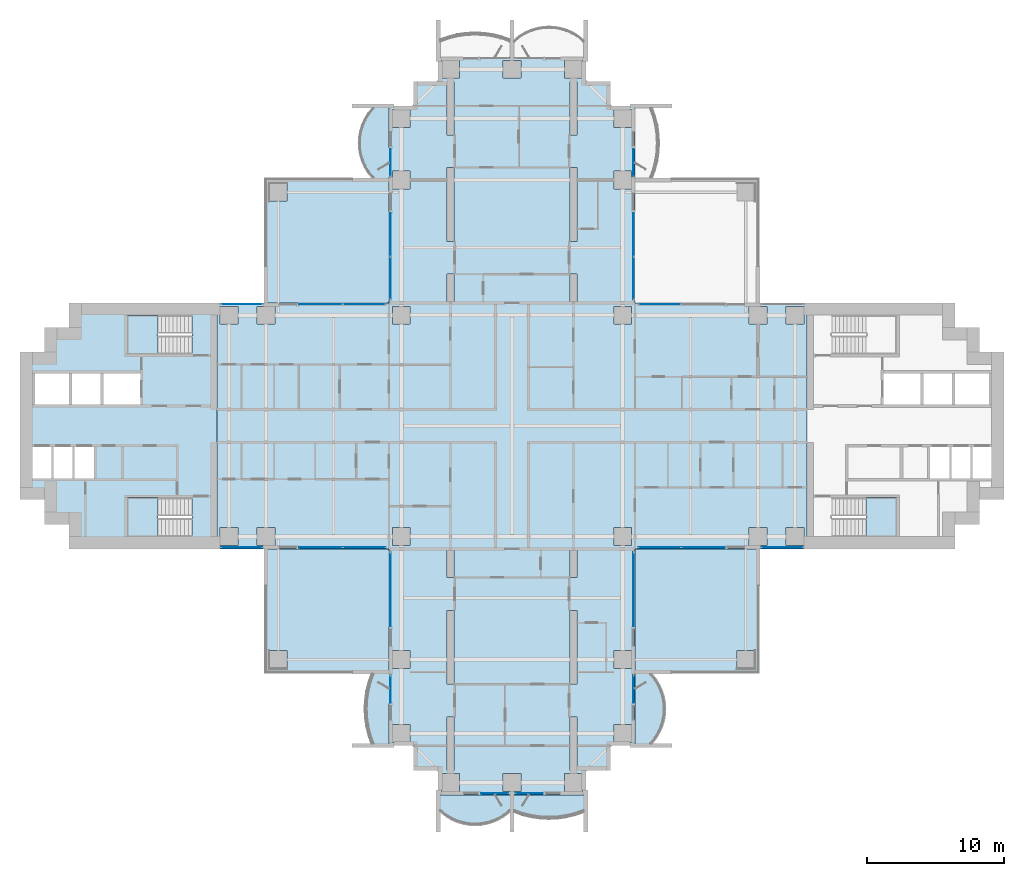
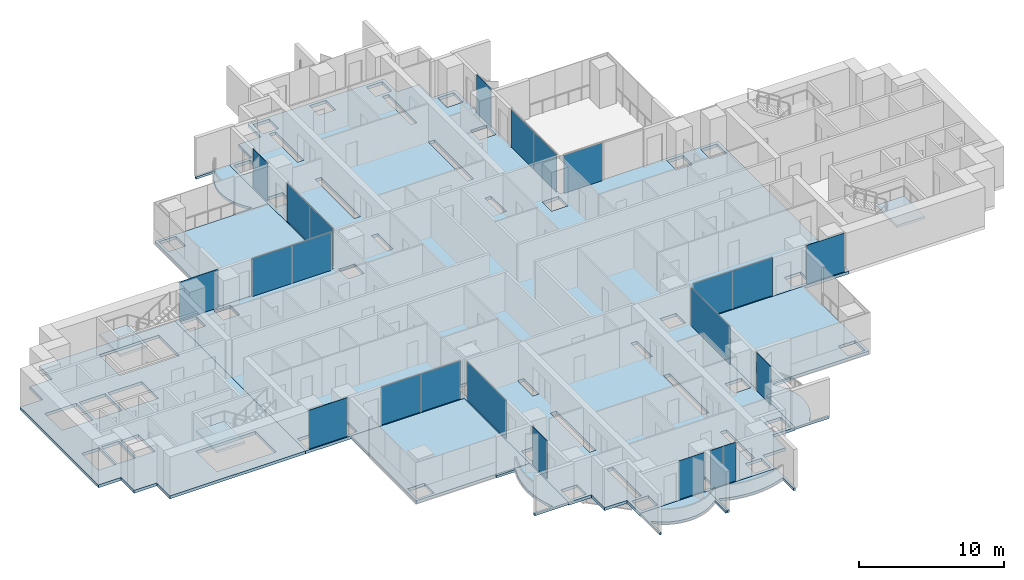
# One storey, part 8 of 20: 22 plates, 13 slabs, 20 elements without a shape of their own.
"""IFC4 building model written with IfcOpenShell, lengths in metres."""

import ifcopenshell
import ifcopenshell.guid

model = None  # the IFC model being written
_history = None  # IfcOwnerHistory: only IFC2X3 demands one
_inside = {}  # id of a spatial element -> (the spatial element, [elements in it])
_under = {}  # id of a project, library or spatial element -> (it, [spatial elements below it])
_declared = {}  # id of a project -> (the project, [libraries it declares])
_typed = {}  # id of a type object -> (the type object, [elements of that type])
_made_of = {}  # id of a material, layer set ... -> (it, [elements and type objects made of it])


def new_model(schema):
    """Start an empty IFC model of exactly this schema.

    Asked for "IFC4X3", IfcOpenShell would pick the latest addendum, in which some entities
    have other attributes; the version numbers below select the first issue.
    IFC2X3 requires an IfcOwnerHistory on every rooted entity: one is made here for all.
    """
    global model, _history
    if schema == "IFC4X3":
        model = ifcopenshell.file(schema_version=(4, 3, 0, 0))
    else:
        model = ifcopenshell.file(schema=schema)
    _inside.clear()
    _under.clear()
    _declared.clear()
    _typed.clear()
    _made_of.clear()
    _history = None
    if model.schema == "IFC2X3":
        org = make("IfcOrganization", Name="unknown")
        user = make(
            "IfcPersonAndOrganization",
            ThePerson=make("IfcPerson", FamilyName="unknown"),
            TheOrganization=org,
        )
        app = make(
            "IfcApplication",
            ApplicationDeveloper=org,
            Version="unknown",
            ApplicationFullName="unknown",
            ApplicationIdentifier="unknown",
        )
        _history = make(
            "IfcOwnerHistory",
            OwningUser=user,
            OwningApplication=app,
            ChangeAction="ADDED",
            CreationDate=0,
        )
    return model


def make(cls, **values):
    """One entity of the class cls with the attributes given. An attribute that is None is left unset."""
    return model.create_entity(
        cls, **{name: value for name, value in values.items() if value is not None}
    )


def rooted(cls, **values):
    """An entity with a GlobalId (a new one), such as an element, a storey or a relation."""
    return make(cls, GlobalId=ifcopenshell.guid.new(), OwnerHistory=_history, **values)


def si_unit(unit_type, name, prefix=None):
    """IfcSIUnit, for example si_unit("LENGTHUNIT", "METRE", prefix="MILLI")."""
    return make("IfcSIUnit", UnitType=unit_type, Prefix=prefix, Name=name)


def assignment(units):
    """IfcUnitAssignment: the units of a project."""
    return None if units is None else make("IfcUnitAssignment", Units=units)


def point(xyz):
    """IfcCartesianPoint."""
    return None if xyz is None else make("IfcCartesianPoint", Coordinates=xyz)


def direction(xyz):
    """IfcDirection."""
    return None if xyz is None else make("IfcDirection", DirectionRatios=xyz)


def frame(location, z_axis=None, x_axis=None):
    """IfcAxis2Placement3D, a coordinate frame: its origin and axes. An axis left out is left unset."""
    return make(
        "IfcAxis2Placement3D",
        Location=point(location),
        Axis=direction(z_axis),
        RefDirection=direction(x_axis),
    )


def frame_2d(location, x_axis=None):
    """IfcAxis2Placement2D, a coordinate frame in the plane: its origin and x axis."""
    return make(
        "IfcAxis2Placement2D", Location=point(location), RefDirection=direction(x_axis)
    )


def origin():
    """The frame at (0, 0, 0) with its axes left unset."""
    return frame((0.0, 0.0, 0.0))


def origin_2d():
    """The frame at (0, 0) in the plane with its x axis left unset."""
    return frame_2d((0.0, 0.0))


def place(relative_to, where):
    """IfcLocalPlacement: puts the frame where relative to a parent placement (None: the world)."""
    return make(
        "IfcLocalPlacement", PlacementRelTo=relative_to, RelativePlacement=where
    )


def context(
    kind, dimensions, precision=None, world=None, true_north=None, identifier=None
):
    """IfcGeometricRepresentationContext, for example the 3D "Model" context."""
    return make(
        "IfcGeometricRepresentationContext",
        ContextIdentifier=identifier,
        ContextType=kind,
        CoordinateSpaceDimension=dimensions,
        Precision=precision,
        WorldCoordinateSystem=world,
        TrueNorth=true_north,
    )


def subcontext(parent, identifier, kind, view, scale=None):
    """IfcGeometricRepresentationSubContext, for example "Body" below "Model"."""
    return make(
        "IfcGeometricRepresentationSubContext",
        ContextIdentifier=identifier,
        ContextType=kind,
        ParentContext=parent,
        TargetScale=scale,
        TargetView=view,
    )


def project(units=None, contexts=None):
    """IfcProject with its units and contexts."""
    return rooted(
        "IfcProject",
        Name="project",
        RepresentationContexts=contexts,
        UnitsInContext=assignment(units),
    )


def spatial(cls, under=None, at=None, **own):
    """A site, building, storey or space (cls), placed at a placement, below another one or the project."""
    s = rooted(cls, ObjectPlacement=at, **own)
    if under is not None:
        _under.setdefault(under.id(), (under, []))[1].append(s)
    return s


def polyline(points):
    """IfcPolyline through the points."""
    return make("IfcPolyline", Points=[point(p) for p in points])


def profile(cls, at=None, kind="AREA", **sizes):
    """A parametric profile (cls). Its sizes go by their IFC names, for example OverallWidth=200.0."""
    return make(cls, ProfileType=kind, Position=at, **sizes)


def rectangle(**sizes):
    """IfcRectangleProfileDef."""
    return profile("IfcRectangleProfileDef", **sizes)


def outline(outer, holes=None, kind="AREA"):
    """IfcArbitraryClosedProfileDef: a profile drawn as a closed curve; with holes, ...WithVoids."""
    if holes is None:
        return make("IfcArbitraryClosedProfileDef", ProfileType=kind, OuterCurve=outer)
    return make(
        "IfcArbitraryProfileDefWithVoids",
        ProfileType=kind,
        OuterCurve=outer,
        InnerCurves=holes,
    )


def extrude(swept, where, along, depth):
    """IfcExtrudedAreaSolid: the profile swept, set in the frame where, extruded along a direction by depth."""
    return make(
        "IfcExtrudedAreaSolid",
        SweptArea=swept,
        Position=where,
        ExtrudedDirection=direction(along),
        Depth=depth,
    )


def shape(context_of_items, identifier, shape_type, items):
    """IfcShapeRepresentation: the items that make up one representation, for example the "Body"."""
    return make(
        "IfcShapeRepresentation",
        ContextOfItems=context_of_items,
        RepresentationIdentifier=identifier,
        RepresentationType=shape_type,
        Items=items,
    )


def material(Name=None, Category=None):
    """IfcMaterial."""
    return make("IfcMaterial", Name=Name, Category=Category)


def layer(
    of_material, thickness, ventilated=None, Name=None, Category=None, Priority=None
):
    """IfcMaterialLayer: one layer of a wall or slab, of a material (None: an air gap)."""
    return make(
        "IfcMaterialLayer",
        Material=of_material,
        LayerThickness=thickness,
        IsVentilated=ventilated,
        Name=Name,
        Category=Category,
        Priority=Priority,
    )


def layer_set(layers, Name=None):
    """IfcMaterialLayerSet."""
    return make("IfcMaterialLayerSet", MaterialLayers=layers, LayerSetName=Name)


def made_of(thing, what):
    """Note that an element or type object is made of a material, layer set ...; save() writes the relation."""
    if what is not None:
        _made_of.setdefault(what.id(), (what, []))[1].append(thing)
    return thing


def type_object(cls, material=None, **own):
    """A type object (cls), such as IfcWallType, which elements share."""
    return made_of(rooted(cls, **own), material)


def element(
    cls,
    number,
    at=None,
    inside=None,
    cuts=None,
    type_object=None,
    material=None,
    context=None,
    identifier="Body",
    shape_type=None,
    held_by="IfcProductDefinitionShape",
    body=None,
    shapes=None,
    **own,
):
    """One element of the class cls, such as IfcWall. Its Tag is "e" and its number.

    at: its placement. inside: the storey or other place that contains it. cuts: it is an
    opening in that element (IfcRelVoidsElement). A single representation is given by context,
    identifier, shape_type and body (its items); several are given by shapes. held_by: the class
    of the entity that holds the representations. save() writes the other relations.
    """
    e = rooted(cls, Tag="e%d" % number, ObjectPlacement=at, **own)
    if body is not None:
        shapes = [shape(context, identifier, shape_type, body)]
    if shapes is not None:
        e.Representation = make(held_by, Representations=shapes)
    if inside is not None:
        _inside.setdefault(inside.id(), (inside, []))[1].append(e)
    if cuts is not None:
        rooted(
            "IfcRelVoidsElement", RelatingBuildingElement=cuts, RelatedOpeningElement=e
        )
    if type_object is not None:
        _typed.setdefault(type_object.id(), (type_object, []))[1].append(e)
    return made_of(e, material)


def aggregate(whole, parts):
    """IfcRelAggregates: a whole, such as a stair, and the parts it consists of."""
    return rooted("IfcRelAggregates", RelatingObject=whole, RelatedObjects=parts)


def save(model, path):
    """Write the relations noted so far, then the file.

    IfcRelAggregates (storeys below a building ...), IfcRelContainedInSpatialStructure (elements
    in a storey), IfcRelDefinesByType, IfcRelAssociatesMaterial and IfcRelDeclares: one each for
    every whole, place, type object, material and project.
    """
    for whole, parts in _under.values():
        aggregate(whole, parts)
    for where, things in _inside.values():
        rooted(
            "IfcRelContainedInSpatialStructure",
            RelatedElements=things,
            RelatingStructure=where,
        )
    for kind, things in _typed.values():
        rooted("IfcRelDefinesByType", RelatedObjects=things, RelatingType=kind)
    for what, things in _made_of.values():
        rooted("IfcRelAssociatesMaterial", RelatedObjects=things, RelatingMaterial=what)
    for by, libraries in _declared.values():
        rooted("IfcRelDeclares", RelatingContext=by, RelatedDefinitions=libraries)
    model.write(path)


model = new_model("IFC4")

# Units and contexts
model_context = context("Model", 3, precision=1e-05, world=origin(), true_north=direction((0.0, 1.0)))
body_context = subcontext(model_context, "Body", "Model", "MODEL_VIEW")
ifc_project = project(units=[si_unit("LENGTHUNIT", "METRE"), si_unit("AREAUNIT", "SQUARE_METRE"), si_unit("VOLUMEUNIT", "CUBIC_METRE"), si_unit("PLANEANGLEUNIT", "RADIAN"), si_unit("MASSUNIT", "GRAM", prefix="KILO")], contexts=[model_context])

# Site, building, storey
site_placement = place(None, origin())
site = spatial("IfcSite", under=ifc_project, at=site_placement, CompositionType="ELEMENT")
building_placement = place(site_placement, origin())
building = spatial("IfcBuilding", under=site, at=building_placement, Name="Perihelion Cross Residences", CompositionType="ELEMENT")
storey_placement = place(building_placement, frame((0.0, 0.0, 68.0)))
storey = spatial("IfcBuildingStorey", under=building, at=storey_placement, Name="L14", CompositionType="ELEMENT", Elevation=68.0)

# Slabs
ifc_material_1 = material(Name="Concrete C40/50", Category="concrete")
ifc_layer_1 = layer(ifc_material_1, 0.199951171875)
ifc_layer_set_1 = layer_set([ifc_layer_1], Name="Balcony slab 200")
slab_type_1 = type_object("IfcSlabType", Name="Balcony slab 200", PredefinedType="FLOOR", material=ifc_layer_set_1)
slab_1_placement = place(storey_placement, frame((0.0, 0.0, -0.199951171875)))
element("IfcSlab", 1, at=slab_1_placement, inside=storey, type_object=slab_type_1, Name="Slab BK1 L14 north side west bay 1 balcony", PredefinedType="FLOOR", context=body_context, shape_type="SweptSolid", body=[
    extrude(outline(polyline([(-9.0, 23.39990234375), (-9.0, 18.0), (-11.699951171875, 18.0), (-11.699951171875, 18.14990234375), (-10.199951171875, 18.14990234375), (-10.5400390625, 18.574951171875), (-10.792724609375, 19.0), (-10.9765625, 19.425048828125), (-11.1025390625, 19.85009765625), (-11.17578125, 20.27490234375), (-11.199951171875, 20.699951171875), (-11.17578125, 21.125), (-11.1025390625, 21.550048828125), (-10.9765625, 21.97509765625), (-10.792724609375, 22.39990234375), (-10.5400390625, 22.824951171875), (-10.199951171875, 23.25), (-11.699951171875, 23.25), (-11.699951171875, 23.39990234375), (-9.0, 23.39990234375)])), origin(), (0.0, 0.0, 1.0), 0.199951171875),
])
slab_2_placement = place(storey_placement, frame((0.0, 0.0, -0.199951171875)))
element("IfcSlab", 2, at=slab_2_placement, inside=storey, type_object=slab_type_1, Name="Slab BK1 L14 south side west bay 2 balcony", PredefinedType="FLOOR", context=body_context, shape_type="SweptSolid", body=[
    extrude(outline(polyline([(-9.0, -18.0), (-9.0, -23.39990234375), (-11.699951171875, -23.39990234375), (-11.699951171875, -23.25), (-10.199951171875, -23.25), (-10.423583984375, -22.612548828125), (-10.57861328125, -21.97509765625), (-10.669921875, -21.33740234375), (-10.699951171875, -20.699951171875), (-10.669921875, -20.0625), (-10.57861328125, -19.425048828125), (-10.423583984375, -18.78759765625), (-10.199951171875, -18.14990234375), (-11.699951171875, -18.14990234375), (-11.699951171875, -18.0), (-9.0, -18.0)])), origin(), (0.0, 0.0, 1.0), 0.199951171875),
])
slab_3_placement = place(storey_placement, frame((0.0, 0.0, -0.199951171875)))
element("IfcSlab", 3, at=slab_3_placement, inside=storey, type_object=slab_type_1, Name="Slab BK1 L14 south tip south bay 1 balcony", PredefinedType="FLOOR", context=body_context, shape_type="SweptSolid", body=[
    extrude(outline(polyline([(-5.39990234375, -27.0), (0.0, -27.0), (0.0, -29.699951171875), (-0.14990234375, -29.699951171875), (-0.14990234375, -28.199951171875), (-0.574951171875, -28.5400390625), (-1.0, -28.792724609375), (-1.425048828125, -28.9765625), (-1.85009765625, -29.1025390625), (-2.27490234375, -29.17578125), (-2.699951171875, -29.199951171875), (-3.125, -29.17578125), (-3.550048828125, -29.1025390625), (-3.97509765625, -28.9765625), (-4.39990234375, -28.792724609375), (-4.824951171875, -28.5400390625), (-5.25, -28.199951171875), (-5.25, -29.699951171875), (-5.39990234375, -29.699951171875), (-5.39990234375, -27.0)])), origin(), (0.0, 0.0, 1.0), 0.199951171875),
])
slab_4_placement = place(storey_placement, frame((0.0, 0.0, -0.199951171875)))
element("IfcSlab", 4, at=slab_4_placement, inside=storey, type_object=slab_type_1, Name="Slab BK1 L14 south tip south bay 2 balcony", PredefinedType="FLOOR", context=body_context, shape_type="SweptSolid", body=[
    extrude(outline(polyline([(0.0, -27.0), (5.39990234375, -27.0), (5.39990234375, -29.699951171875), (5.25, -29.699951171875), (5.25, -28.199951171875), (4.612548828125, -28.423583984375), (3.97509765625, -28.57861328125), (3.33740234375, -28.669921875), (2.699951171875, -28.699951171875), (2.0625, -28.669921875), (1.425048828125, -28.57861328125), (0.78759765625, -28.423583984375), (0.14990234375, -28.199951171875), (0.14990234375, -29.699951171875), (0.0, -29.699951171875), (0.0, -27.0)])), origin(), (0.0, 0.0, 1.0), 0.199951171875),
])
slab_5_placement = place(storey_placement, frame((0.0, 0.0, -0.199951171875)))
element("IfcSlab", 5, at=slab_5_placement, inside=storey, type_object=slab_type_1, Name="Slab BK1 L14 south side east bay 1 balcony", PredefinedType="FLOOR", context=body_context, shape_type="SweptSolid", body=[
    extrude(outline(polyline([(9.0, -23.39990234375), (9.0, -18.0), (11.699951171875, -18.0), (11.699951171875, -18.14990234375), (10.199951171875, -18.14990234375), (10.5400390625, -18.574951171875), (10.792724609375, -19.0), (10.9765625, -19.425048828125), (11.1025390625, -19.85009765625), (11.17578125, -20.27490234375), (11.199951171875, -20.699951171875), (11.17578125, -21.125), (11.1025390625, -21.550048828125), (10.9765625, -21.97509765625), (10.792724609375, -22.39990234375), (10.5400390625, -22.824951171875), (10.199951171875, -23.25), (11.699951171875, -23.25), (11.699951171875, -23.39990234375), (9.0, -23.39990234375)])), origin(), (0.0, 0.0, 1.0), 0.199951171875),
])

# Curtain wall, plate
ifc_material_2 = material(Name="Bronze anodised aluminium, tinted glazing", Category="aluminium")
curtain_wall_type = type_object("IfcCurtainWallType", Name="CW1", PredefinedType="NOTDEFINED", material=ifc_material_2)
curtain_wall_1_placement = place(storey_placement, origin())
curtain_wall_1 = element("IfcCurtainWall", 6, at=curtain_wall_1_placement, inside=storey, type_object=curtain_wall_type, Name="Curtain wall CW1 L14 east side north bay 2", PredefinedType="NOTDEFINED")
ifc_material_3 = material(Name="Tinted laminated glass", Category="glass")
ifc_layer_2 = layer(ifc_material_3, 0.028076171875)
ifc_layer_set_2 = layer_set([ifc_layer_2], Name="CW1 panel")
plate_type = type_object("IfcPlateType", Name="CW1 panel", PredefinedType="CURTAIN_PANEL", material=ifc_layer_set_2)
plate_1_placement = place(storey_placement, frame((10.802490234375, 8.89990234375, 0.0), z_axis=(0.0, 0.0, 1.0), x_axis=(-1.0, 0.0, 0.0)))
plate_1 = element("IfcPlate", 7, at=plate_1_placement, type_object=plate_type, Name="CW1 panel 2", PredefinedType="CURTAIN_PANEL", context=body_context, shape_type="SweptSolid", body=[
    extrude(rectangle(XDim=3.0849609375, YDim=0.028076171875, at=origin_2d()), origin(), (0.0, 0.0, 1.0), 3.18994140625),
])
aggregate(curtain_wall_1, [plate_1])

# Curtain wall, plates
curtain_wall_2_placement = place(storey_placement, origin())
curtain_wall_2 = element("IfcCurtainWall", 8, at=curtain_wall_2_placement, inside=storey, type_object=curtain_wall_type, Name="Curtain wall CW1 L14 north side east bay 1", PredefinedType="NOTDEFINED")
plate_2_placement = place(storey_placement, frame((8.89990234375, 10.802490234375, 0.0), z_axis=(0.0, 0.0, 1.0), x_axis=(0.0, 1.0, 0.0)))
plate_2 = element("IfcPlate", 9, at=plate_2_placement, type_object=plate_type, Name="CW1 panel 1", PredefinedType="CURTAIN_PANEL", context=body_context, shape_type="SweptSolid", body=[
    extrude(rectangle(XDim=3.0849609375, YDim=0.028076171875, at=origin_2d()), origin(), (0.0, 0.0, 1.0), 3.18994140625),
])
plate_3_placement = place(storey_placement, frame((8.89990234375, 13.9775390625, 0.0), z_axis=(0.0, 0.0, 1.0), x_axis=(0.0, 1.0, 0.0)))
plate_3 = element("IfcPlate", 10, at=plate_3_placement, type_object=plate_type, Name="CW1 panel 2", PredefinedType="CURTAIN_PANEL", context=body_context, shape_type="SweptSolid", body=[
    extrude(rectangle(XDim=3.14501953125, YDim=0.028076171875, at=origin_2d()), origin(), (0.0, 0.0, 1.0), 3.18994140625),
])
aggregate(curtain_wall_2, [plate_2, plate_3])

# Curtain wall, plate
curtain_wall_3_placement = place(storey_placement, origin())
curtain_wall_3 = element("IfcCurtainWall", 11, at=curtain_wall_3_placement, inside=storey, type_object=curtain_wall_type, Name="Curtain wall CW1 L14 north side east bay 2", PredefinedType="NOTDEFINED")
plate_4_placement = place(storey_placement, frame((8.89990234375, 19.2548828125, 0.0), z_axis=(0.0, 0.0, 1.0), x_axis=(0.0, 1.0, 0.0)))
plate_4 = element("IfcPlate", 12, at=plate_4_placement, type_object=plate_type, Name="CW1 panel 1", PredefinedType="CURTAIN_PANEL", context=body_context, shape_type="SweptSolid", body=[
    extrude(rectangle(XDim=1.989990234375, YDim=0.028076171875, at=origin_2d()), origin(), (0.0, 0.0, 1.0), 3.25),
])
aggregate(curtain_wall_3, [plate_4])

curtain_wall_4_placement = place(storey_placement, origin())
curtain_wall_4 = element("IfcCurtainWall", 13, at=curtain_wall_4_placement, inside=storey, type_object=curtain_wall_type, Name="Curtain wall CW1 L14 north side west bay 1", PredefinedType="NOTDEFINED")
plate_5_placement = place(storey_placement, frame((-8.89990234375, 19.2548828125, 0.0), z_axis=(0.0, 0.0, 1.0), x_axis=(0.0, -1.0, 0.0)))
plate_5 = element("IfcPlate", 14, at=plate_5_placement, type_object=plate_type, Name="CW1 panel 1", PredefinedType="CURTAIN_PANEL", context=body_context, shape_type="SweptSolid", body=[
    extrude(rectangle(XDim=1.989990234375, YDim=0.028076171875, at=origin_2d()), origin(), (0.0, 0.0, 1.0), 3.25),
])
aggregate(curtain_wall_4, [plate_5])

# Curtain wall, plates
curtain_wall_5_placement = place(storey_placement, origin())
curtain_wall_5 = element("IfcCurtainWall", 15, at=curtain_wall_5_placement, inside=storey, type_object=curtain_wall_type, Name="Curtain wall CW1 L14 north side west bay 2", PredefinedType="NOTDEFINED")
plate_6_placement = place(storey_placement, frame((-8.89990234375, 13.9775390625, 0.0), z_axis=(0.0, 0.0, 1.0), x_axis=(0.0, -1.0, 0.0)))
plate_6 = element("IfcPlate", 16, at=plate_6_placement, type_object=plate_type, Name="CW1 panel 1", PredefinedType="CURTAIN_PANEL", context=body_context, shape_type="SweptSolid", body=[
    extrude(rectangle(XDim=3.14501953125, YDim=0.028076171875, at=origin_2d()), origin(), (0.0, 0.0, 1.0), 3.18994140625),
])
plate_7_placement = place(storey_placement, frame((-8.89990234375, 10.802490234375, 0.0), z_axis=(0.0, 0.0, 1.0), x_axis=(0.0, -1.0, 0.0)))
plate_7 = element("IfcPlate", 17, at=plate_7_placement, type_object=plate_type, Name="CW1 panel 2", PredefinedType="CURTAIN_PANEL", context=body_context, shape_type="SweptSolid", body=[
    extrude(rectangle(XDim=3.0849609375, YDim=0.028076171875, at=origin_2d()), origin(), (0.0, 0.0, 1.0), 3.18994140625),
])
aggregate(curtain_wall_5, [plate_6, plate_7])

curtain_wall_6_placement = place(storey_placement, origin())
curtain_wall_6 = element("IfcCurtainWall", 18, at=curtain_wall_6_placement, inside=storey, type_object=curtain_wall_type, Name="Curtain wall CW1 L14 west side north bay 1", PredefinedType="NOTDEFINED")
plate_8_placement = place(storey_placement, frame((-10.802490234375, 8.89990234375, 0.0), z_axis=(0.0, 0.0, 1.0), x_axis=(-1.0, 0.0, 0.0)))
plate_8 = element("IfcPlate", 19, at=plate_8_placement, type_object=plate_type, Name="CW1 panel 1", PredefinedType="CURTAIN_PANEL", context=body_context, shape_type="SweptSolid", body=[
    extrude(rectangle(XDim=3.0849609375, YDim=0.028076171875, at=origin_2d()), origin(), (0.0, 0.0, 1.0), 3.18994140625),
])
plate_9_placement = place(storey_placement, frame((-13.9775390625, 8.89990234375, 0.0), z_axis=(0.0, 0.0, 1.0), x_axis=(-1.0, 0.0, 0.0)))
plate_9 = element("IfcPlate", 20, at=plate_9_placement, type_object=plate_type, Name="CW1 panel 2", PredefinedType="CURTAIN_PANEL", context=body_context, shape_type="SweptSolid", body=[
    extrude(rectangle(XDim=3.14501953125, YDim=0.028076171875, at=origin_2d()), origin(), (0.0, 0.0, 1.0), 3.18994140625),
])
aggregate(curtain_wall_6, [plate_8, plate_9])

# Curtain wall, plate
curtain_wall_7_placement = place(storey_placement, origin())
curtain_wall_7 = element("IfcCurtainWall", 21, at=curtain_wall_7_placement, inside=storey, type_object=curtain_wall_type, Name="Curtain wall CW1 L14 west side north bay 2", PredefinedType="NOTDEFINED")
plate_10_placement = place(storey_placement, frame((-19.77490234375, 8.89990234375, 0.0), z_axis=(0.0, 0.0, 1.0), x_axis=(-1.0, 0.0, 0.0)))
plate_10 = element("IfcPlate", 22, at=plate_10_placement, type_object=plate_type, Name="CW1 panel 1", PredefinedType="CURTAIN_PANEL", context=body_context, shape_type="SweptSolid", body=[
    extrude(rectangle(XDim=3.030029296875, YDim=0.028076171875, at=origin_2d()), origin(), (0.0, 0.0, 1.0), 3.25),
])
aggregate(curtain_wall_7, [plate_10])

curtain_wall_8_placement = place(storey_placement, origin())
curtain_wall_8 = element("IfcCurtainWall", 23, at=curtain_wall_8_placement, inside=storey, type_object=curtain_wall_type, Name="Curtain wall CW1 L14 west side south bay 1", PredefinedType="NOTDEFINED")
plate_11_placement = place(storey_placement, frame((-19.77490234375, -8.89990234375, 0.0), z_axis=(0.0, 0.0, 1.0), x_axis=(1.0, 0.0, 0.0)))
plate_11 = element("IfcPlate", 24, at=plate_11_placement, type_object=plate_type, Name="CW1 panel 1", PredefinedType="CURTAIN_PANEL", context=body_context, shape_type="SweptSolid", body=[
    extrude(rectangle(XDim=3.030029296875, YDim=0.028076171875, at=origin_2d()), origin(), (0.0, 0.0, 1.0), 3.25),
])
aggregate(curtain_wall_8, [plate_11])

# Curtain wall, plates
curtain_wall_9_placement = place(storey_placement, origin())
curtain_wall_9 = element("IfcCurtainWall", 25, at=curtain_wall_9_placement, inside=storey, type_object=curtain_wall_type, Name="Curtain wall CW1 L14 west side south bay 2", PredefinedType="NOTDEFINED")
plate_12_placement = place(storey_placement, frame((-13.9775390625, -8.89990234375, 0.0), z_axis=(0.0, 0.0, 1.0), x_axis=(1.0, 0.0, 0.0)))
plate_12 = element("IfcPlate", 26, at=plate_12_placement, type_object=plate_type, Name="CW1 panel 1", PredefinedType="CURTAIN_PANEL", context=body_context, shape_type="SweptSolid", body=[
    extrude(rectangle(XDim=3.14501953125, YDim=0.028076171875, at=origin_2d()), origin(), (0.0, 0.0, 1.0), 3.18994140625),
])
plate_13_placement = place(storey_placement, frame((-10.802490234375, -8.89990234375, 0.0), z_axis=(0.0, 0.0, 1.0), x_axis=(1.0, 0.0, 0.0)))
plate_13 = element("IfcPlate", 27, at=plate_13_placement, type_object=plate_type, Name="CW1 panel 2", PredefinedType="CURTAIN_PANEL", context=body_context, shape_type="SweptSolid", body=[
    extrude(rectangle(XDim=3.0849609375, YDim=0.028076171875, at=origin_2d()), origin(), (0.0, 0.0, 1.0), 3.18994140625),
])
aggregate(curtain_wall_9, [plate_12, plate_13])

# Curtain wall, plate
curtain_wall_10_placement = place(storey_placement, origin())
curtain_wall_10 = element("IfcCurtainWall", 28, at=curtain_wall_10_placement, inside=storey, type_object=curtain_wall_type, Name="Curtain wall CW1 L14 south side west bay 1", PredefinedType="NOTDEFINED")
plate_14_placement = place(storey_placement, frame((-8.89990234375, -11.955078125, 0.0), z_axis=(0.0, 0.0, 1.0), x_axis=(0.0, -1.0, 0.0)))
plate_14 = element("IfcPlate", 29, at=plate_14_placement, type_object=plate_type, Name="CW1 panel 1", PredefinedType="CURTAIN_PANEL", context=body_context, shape_type="SweptSolid", body=[
    extrude(rectangle(XDim=5.389892578125, YDim=0.028076171875, at=origin_2d()), origin(), (0.0, 0.0, 1.0), 3.18994140625),
])
aggregate(curtain_wall_10, [plate_14])

curtain_wall_11_placement = place(storey_placement, origin())
curtain_wall_11 = element("IfcCurtainWall", 30, at=curtain_wall_11_placement, inside=storey, type_object=curtain_wall_type, Name="Curtain wall CW1 L14 south side west bay 2", PredefinedType="NOTDEFINED")
plate_15_placement = place(storey_placement, frame((-8.89990234375, -19.2548828125, 0.0), z_axis=(0.0, 0.0, 1.0), x_axis=(0.0, -1.0, 0.0)))
plate_15 = element("IfcPlate", 31, at=plate_15_placement, type_object=plate_type, Name="CW1 panel 1", PredefinedType="CURTAIN_PANEL", context=body_context, shape_type="SweptSolid", body=[
    extrude(rectangle(XDim=1.989990234375, YDim=0.028076171875, at=origin_2d()), origin(), (0.0, 0.0, 1.0), 3.25),
])
aggregate(curtain_wall_11, [plate_15])

curtain_wall_12_placement = place(storey_placement, origin())
curtain_wall_12 = element("IfcCurtainWall", 32, at=curtain_wall_12_placement, inside=storey, type_object=curtain_wall_type, Name="Curtain wall CW1 L14 south tip south bay 1", PredefinedType="NOTDEFINED")
plate_16_placement = place(storey_placement, frame((-1.2548828125, -26.89990234375, 0.0), z_axis=(0.0, 0.0, 1.0), x_axis=(1.0, 0.0, 0.0)))
plate_16 = element("IfcPlate", 33, at=plate_16_placement, type_object=plate_type, Name="CW1 panel 1", PredefinedType="CURTAIN_PANEL", context=body_context, shape_type="SweptSolid", body=[
    extrude(rectangle(XDim=1.989990234375, YDim=0.028076171875, at=origin_2d()), origin(), (0.0, 0.0, 1.0), 3.25),
])
aggregate(curtain_wall_12, [plate_16])

curtain_wall_13_placement = place(storey_placement, origin())
curtain_wall_13 = element("IfcCurtainWall", 34, at=curtain_wall_13_placement, inside=storey, type_object=curtain_wall_type, Name="Curtain wall CW1 L14 south tip south bay 2", PredefinedType="NOTDEFINED")
plate_17_placement = place(storey_placement, frame((1.2548828125, -26.89990234375, 0.0), z_axis=(0.0, 0.0, 1.0), x_axis=(1.0, 0.0, 0.0)))
plate_17 = element("IfcPlate", 35, at=plate_17_placement, type_object=plate_type, Name="CW1 panel 1", PredefinedType="CURTAIN_PANEL", context=body_context, shape_type="SweptSolid", body=[
    extrude(rectangle(XDim=1.989990234375, YDim=0.028076171875, at=origin_2d()), origin(), (0.0, 0.0, 1.0), 3.25),
])
aggregate(curtain_wall_13, [plate_17])

curtain_wall_14_placement = place(storey_placement, origin())
curtain_wall_14 = element("IfcCurtainWall", 36, at=curtain_wall_14_placement, inside=storey, type_object=curtain_wall_type, Name="Curtain wall CW1 L14 south side east bay 1", PredefinedType="NOTDEFINED")
plate_18_placement = place(storey_placement, frame((8.89990234375, -19.2548828125, 0.0), z_axis=(0.0, 0.0, 1.0), x_axis=(0.0, 1.0, 0.0)))
plate_18 = element("IfcPlate", 37, at=plate_18_placement, type_object=plate_type, Name="CW1 panel 1", PredefinedType="CURTAIN_PANEL", context=body_context, shape_type="SweptSolid", body=[
    extrude(rectangle(XDim=1.989990234375, YDim=0.028076171875, at=origin_2d()), origin(), (0.0, 0.0, 1.0), 3.25),
])
aggregate(curtain_wall_14, [plate_18])

curtain_wall_15_placement = place(storey_placement, origin())
curtain_wall_15 = element("IfcCurtainWall", 38, at=curtain_wall_15_placement, inside=storey, type_object=curtain_wall_type, Name="Curtain wall CW1 L14 south side east bay 2", PredefinedType="NOTDEFINED")
plate_19_placement = place(storey_placement, frame((8.89990234375, -11.955078125, 0.0), z_axis=(0.0, 0.0, 1.0), x_axis=(0.0, 1.0, 0.0)))
plate_19 = element("IfcPlate", 39, at=plate_19_placement, type_object=plate_type, Name="CW1 panel 1", PredefinedType="CURTAIN_PANEL", context=body_context, shape_type="SweptSolid", body=[
    extrude(rectangle(XDim=5.389892578125, YDim=0.028076171875, at=origin_2d()), origin(), (0.0, 0.0, 1.0), 3.18994140625),
])
aggregate(curtain_wall_15, [plate_19])

# Curtain wall, plates
curtain_wall_16_placement = place(storey_placement, origin())
curtain_wall_16 = element("IfcCurtainWall", 40, at=curtain_wall_16_placement, inside=storey, type_object=curtain_wall_type, Name="Curtain wall CW1 L14 east side south bay 1", PredefinedType="NOTDEFINED")
plate_20_placement = place(storey_placement, frame((10.802490234375, -8.89990234375, 0.0), z_axis=(0.0, 0.0, 1.0), x_axis=(1.0, 0.0, 0.0)))
plate_20 = element("IfcPlate", 41, at=plate_20_placement, type_object=plate_type, Name="CW1 panel 1", PredefinedType="CURTAIN_PANEL", context=body_context, shape_type="SweptSolid", body=[
    extrude(rectangle(XDim=3.0849609375, YDim=0.028076171875, at=origin_2d()), origin(), (0.0, 0.0, 1.0), 3.18994140625),
])
plate_21_placement = place(storey_placement, frame((13.9775390625, -8.89990234375, 0.0), z_axis=(0.0, 0.0, 1.0), x_axis=(1.0, 0.0, 0.0)))
plate_21 = element("IfcPlate", 42, at=plate_21_placement, type_object=plate_type, Name="CW1 panel 2", PredefinedType="CURTAIN_PANEL", context=body_context, shape_type="SweptSolid", body=[
    extrude(rectangle(XDim=3.14501953125, YDim=0.028076171875, at=origin_2d()), origin(), (0.0, 0.0, 1.0), 3.18994140625),
])
aggregate(curtain_wall_16, [plate_20, plate_21])

# Curtain wall, plate
curtain_wall_17_placement = place(storey_placement, origin())
curtain_wall_17 = element("IfcCurtainWall", 43, at=curtain_wall_17_placement, inside=storey, type_object=curtain_wall_type, Name="Curtain wall CW1 L14 east side south bay 2", PredefinedType="NOTDEFINED")
plate_22_placement = place(storey_placement, frame((19.77490234375, -8.89990234375, 0.0), z_axis=(0.0, 0.0, 1.0), x_axis=(1.0, 0.0, 0.0)))
plate_22 = element("IfcPlate", 44, at=plate_22_placement, type_object=plate_type, Name="CW1 panel 1", PredefinedType="CURTAIN_PANEL", context=body_context, shape_type="SweptSolid", body=[
    extrude(rectangle(XDim=3.030029296875, YDim=0.028076171875, at=origin_2d()), origin(), (0.0, 0.0, 1.0), 3.25),
])
aggregate(curtain_wall_17, [plate_22])

# Slabs
ifc_material_4 = material(Name="Concrete C40/50", Category="concrete")
ifc_layer_3 = layer(ifc_material_4, 0.25)
ifc_layer_set_3 = layer_set([ifc_layer_3], Name="Core floor slab 250")
slab_type_2 = type_object("IfcSlabType", Name="Core floor slab 250", PredefinedType="FLOOR", material=ifc_layer_set_3)
slab_6_placement = place(storey_placement, frame((0.0, 0.0, -0.25)))
element("IfcSlab", 45, at=slab_6_placement, inside=storey, type_object=slab_type_2, Name="West core floor slab", PredefinedType="FLOOR", context=body_context, shape_type="SweptSolid", body=[
    extrude(outline(polyline([(-32.39990234375, 7.199951171875), (-34.199951171875, 7.199951171875), (-34.199951171875, 5.39990234375), (-36.0, 5.39990234375), (-36.0, -5.39990234375), (-34.199951171875, -5.39990234375), (-34.199951171875, -7.199951171875), (-32.39990234375, -7.199951171875), (-32.39990234375, -9.0), (-21.60009765625, -9.0), (-21.60009765625, 9.0), (-32.39990234375, 9.0), (-32.39990234375, 7.199951171875)]), holes=[polyline([(-23.405029296875, -8.10009765625), (-28.14990234375, -8.10009765625), (-28.14990234375, -5.25), (-23.405029296875, -5.25), (-23.405029296875, -8.10009765625)]), polyline([(-30.60009765625, -1.550048828125), (-30.60009765625, -3.85009765625), (-32.0, -3.85009765625), (-32.0, -1.550048828125), (-30.60009765625, -1.550048828125)]), polyline([(-32.14990234375, -1.550048828125), (-32.14990234375, -3.85009765625), (-33.550048828125, -3.85009765625), (-33.550048828125, -1.550048828125), (-32.14990234375, -1.550048828125)]), polyline([(-33.699951171875, -1.550048828125), (-33.699951171875, -3.85009765625), (-35.10009765625, -3.85009765625), (-35.10009765625, -1.550048828125), (-33.699951171875, -1.550048828125)]), polyline([(-27.199951171875, 3.85009765625), (-27.199951171875, 1.550048828125), (-29.89990234375, 1.550048828125), (-29.89990234375, 3.85009765625), (-27.199951171875, 3.85009765625)]), polyline([(-30.10009765625, 3.85009765625), (-30.10009765625, 1.550048828125), (-32.199951171875, 1.550048828125), (-32.199951171875, 3.85009765625), (-30.10009765625, 3.85009765625)]), polyline([(-32.39990234375, 3.85009765625), (-32.39990234375, 1.550048828125), (-34.89990234375, 1.550048828125), (-34.89990234375, 3.85009765625), (-32.39990234375, 3.85009765625)]), polyline([(-23.405029296875, 5.25), (-28.14990234375, 5.25), (-28.14990234375, 8.10009765625), (-23.405029296875, 8.10009765625), (-23.405029296875, 5.25)])]), origin(), (0.0, 0.0, 1.0), 0.25),
])
ifc_material_5 = material(Name="Concrete C40/50", Category="concrete")
ifc_layer_4 = layer(ifc_material_5, 0.25)
ifc_layer_set_4 = layer_set([ifc_layer_4], Name="Corner terrace slab")
slab_type_3 = type_object("IfcSlabType", Name="Corner terrace slab", PredefinedType="FLOOR", material=ifc_layer_set_4)
slab_7_placement = place(storey_placement, frame((0.0, 0.0, -0.25)))
element("IfcSlab", 46, at=slab_7_placement, inside=storey, type_object=slab_type_3, Name="Slab BK2 L14 pocket north-west", PredefinedType="FLOOR", context=body_context, shape_type="SweptSolid", body=[
    extrude(outline(polyline([(-9.0, 9.0), (-9.0, 18.0), (-18.0, 18.0), (-18.0, 9.0), (-9.0, 9.0)]), holes=[polyline([(-17.7900390625, 16.409912109375), (-17.7900390625, 17.7900390625), (-16.449951171875, 17.7900390625), (-16.449951171875, 16.449951171875), (-17.75, 16.449951171875), (-17.75, 16.409912109375), (-17.7900390625, 16.409912109375)])]), origin(), (0.0, 0.0, 1.0), 0.25),
])
slab_8_placement = place(storey_placement, frame((0.0, 0.0, -0.25)))
element("IfcSlab", 47, at=slab_8_placement, inside=storey, type_object=slab_type_3, Name="Slab BK2 L14 pocket south-west", PredefinedType="FLOOR", context=body_context, shape_type="SweptSolid", body=[
    extrude(outline(polyline([(-9.0, -18.0), (-9.0, -9.0), (-18.0, -9.0), (-18.0, -18.0), (-9.0, -18.0)]), holes=[polyline([(-17.7900390625, -16.409912109375), (-17.75, -16.409912109375), (-17.75, -16.449951171875), (-16.449951171875, -16.449951171875), (-16.449951171875, -17.7900390625), (-17.7900390625, -17.7900390625), (-17.7900390625, -16.409912109375)])]), origin(), (0.0, 0.0, 1.0), 0.25),
])
slab_9_placement = place(storey_placement, frame((0.0, 0.0, -0.25)))
element("IfcSlab", 48, at=slab_9_placement, inside=storey, type_object=slab_type_3, Name="Slab BK2 L14 pocket south-east", PredefinedType="FLOOR", context=body_context, shape_type="SweptSolid", body=[
    extrude(outline(polyline([(18.0, -18.0), (18.0, -9.0), (9.0, -9.0), (9.0, -18.0), (18.0, -18.0)]), holes=[polyline([(16.449951171875, -17.7900390625), (16.449951171875, -16.449951171875), (17.75, -16.449951171875), (17.75, -16.409912109375), (17.7900390625, -16.409912109375), (17.7900390625, -17.7900390625), (16.449951171875, -17.7900390625)])]), origin(), (0.0, 0.0, 1.0), 0.25),
])

# Stair, slab
ifc_material_6 = material(Name="Concrete C40/50", Category="concrete")
stair_type = type_object("IfcStairType", Name="Exit stair, half-turn", PredefinedType="HALF_TURN_STAIR", material=ifc_material_6)
stair_1_placement = place(storey_placement, origin())
stair_1 = element("IfcStair", 49, at=stair_1_placement, inside=storey, type_object=stair_type, Name="L14 East core exit stair 2", PredefinedType="HALF_TURN_STAIR")
ifc_material_7 = material(Name="Concrete C40/50", Category="concrete")
ifc_layer_5 = layer(ifc_material_7, 0.199951171875)
ifc_layer_set_5 = layer_set([ifc_layer_5], Name="Exit stair landing 200")
slab_type_4 = type_object("IfcSlabType", Name="Exit stair landing 200", PredefinedType="LANDING", material=ifc_layer_set_5)
slab_10_placement = place(storey_placement, frame((0.0, 0.0, 1.550048828125)))
slab_10 = element("IfcSlab", 50, at=slab_10_placement, type_object=slab_type_4, Name="ST-E2 landing 1", PredefinedType="LANDING", context=body_context, shape_type="SweptSolid", body=[
    extrude(outline(polyline([(25.919921875, -8.10009765625), (28.14990234375, -8.10009765625), (28.14990234375, -5.25), (25.919921875, -5.25), (25.919921875, -8.10009765625)])), origin(), (0.0, 0.0, 1.0), 0.199951171875),
])
aggregate(stair_1, [slab_10])

stair_2_placement = place(storey_placement, origin())
stair_2 = element("IfcStair", 51, at=stair_2_placement, inside=storey, type_object=stair_type, Name="L14 West core exit stair 1", PredefinedType="HALF_TURN_STAIR")
slab_11_placement = place(storey_placement, frame((0.0, 0.0, 1.550048828125)))
slab_11 = element("IfcSlab", 52, at=slab_11_placement, type_object=slab_type_4, Name="ST-W1 landing 1", PredefinedType="LANDING", context=body_context, shape_type="SweptSolid", body=[
    extrude(outline(polyline([(-25.919921875, 8.10009765625), (-28.14990234375, 8.10009765625), (-28.14990234375, 5.25), (-25.919921875, 5.25), (-25.919921875, 8.10009765625)])), origin(), (0.0, 0.0, 1.0), 0.199951171875),
])
aggregate(stair_2, [slab_11])

stair_3_placement = place(storey_placement, origin())
stair_3 = element("IfcStair", 53, at=stair_3_placement, inside=storey, type_object=stair_type, Name="L14 West core exit stair 2", PredefinedType="HALF_TURN_STAIR")
slab_12_placement = place(storey_placement, frame((0.0, 0.0, 1.550048828125)))
slab_12 = element("IfcSlab", 54, at=slab_12_placement, type_object=slab_type_4, Name="ST-W2 landing 1", PredefinedType="LANDING", context=body_context, shape_type="SweptSolid", body=[
    extrude(outline(polyline([(-25.919921875, -5.25), (-28.14990234375, -5.25), (-28.14990234375, -8.10009765625), (-25.919921875, -8.10009765625), (-25.919921875, -5.25)])), origin(), (0.0, 0.0, 1.0), 0.199951171875),
])
aggregate(stair_3, [slab_12])

# Slab
ifc_material_8 = material(Name="Concrete C50/60", Category="concrete")
ifc_layer_6 = layer(ifc_material_8, 0.25)
ifc_layer_set_6 = layer_set([ifc_layer_6], Name="Residential floor post-tensioned slab concrete C50/60")
slab_type_5 = type_object("IfcSlabType", Name="Residential floor post-tensioned slab concrete C50/60", PredefinedType="FLOOR", material=ifc_layer_set_6)
slab_13_placement = place(storey_placement, frame((0.0, 0.0, -0.25)))
element("IfcSlab", 55, at=slab_13_placement, inside=storey, type_object=slab_type_5, Name="Slab SL8 L14 1 no. 1", PredefinedType="FLOOR", context=body_context, shape_type="SweptSolid", body=[
    extrude(outline(polyline([(-9.0, 9.0), (-9.0, 23.39990234375), (-7.199951171875, 23.39990234375), (-7.199951171875, 25.199951171875), (-5.39990234375, 25.199951171875), (-5.39990234375, 27.0), (5.39990234375, 27.0), (5.39990234375, 25.199951171875), (7.199951171875, 25.199951171875), (7.199951171875, 23.39990234375), (9.0, 23.39990234375), (9.0, 9.0), (21.60009765625, 9.0), (21.60009765625, -9.0), (9.0, -9.0), (9.0, -23.39990234375), (7.199951171875, -23.39990234375), (7.199951171875, -25.199951171875), (5.39990234375, -25.199951171875), (5.39990234375, -27.0), (-5.39990234375, -27.0), (-5.39990234375, -25.199951171875), (-7.199951171875, -25.199951171875), (-7.199951171875, -23.39990234375), (-9.0, -23.39990234375), (-9.0, -9.0), (-21.60009765625, -9.0), (-21.60009765625, 9.0), (-9.0, 9.0)]), holes=[polyline([(0.64990234375, -26.75), (0.64990234375, -25.449951171875), (-0.64990234375, -25.449951171875), (-0.64990234375, -26.75), (0.64990234375, -26.75)]), polyline([(-3.85009765625, -26.75), (-3.85009765625, -25.449951171875), (-5.14990234375, -25.449951171875), (-5.14990234375, -26.75), (-3.85009765625, -26.75)]), polyline([(-4.25, -25.199951171875), (-4.25, -21.300048828125), (-4.75, -21.300048828125), (-4.75, -25.199951171875), (-4.25, -25.199951171875)]), polyline([(-8.75, -23.14990234375), (-7.449951171875, -23.14990234375), (-7.449951171875, -21.85009765625), (-8.75, -21.85009765625), (-8.75, -23.14990234375)]), polyline([(-8.75, -17.75), (-7.449951171875, -17.75), (-7.449951171875, -16.449951171875), (-8.75, -16.449951171875), (-8.75, -17.75)]), polyline([(-4.25, -18.89990234375), (-4.25, -13.5), (-4.75, -13.5), (-4.75, -18.89990234375), (-4.25, -18.89990234375)]), polyline([(-4.25, -11.10009765625), (-4.25, -9.0), (-4.75, -9.0), (-4.75, -11.10009765625), (-4.25, -11.10009765625)]), polyline([(-7.449951171875, -8.75), (-7.449951171875, -7.449951171875), (-8.75, -7.449951171875), (-8.75, -8.75), (-7.449951171875, -8.75)]), polyline([(-18.64990234375, -8.75), (-17.35009765625, -8.75), (-17.35009765625, -7.449951171875), (-18.64990234375, -7.449951171875), (-18.64990234375, -8.75)]), polyline([(-21.35009765625, -8.75), (-20.050048828125, -8.75), (-20.050048828125, -7.449951171875), (-21.35009765625, -7.449951171875), (-21.35009765625, -8.75)]), polyline([(-17.35009765625, 7.449951171875), (-17.35009765625, 8.75), (-18.64990234375, 8.75), (-18.64990234375, 7.449951171875), (-17.35009765625, 7.449951171875)]), polyline([(-7.449951171875, 7.449951171875), (-7.449951171875, 8.75), (-8.75, 8.75), (-8.75, 7.449951171875), (-7.449951171875, 7.449951171875)]), polyline([(-21.35009765625, 7.449951171875), (-20.050048828125, 7.449951171875), (-20.050048828125, 8.75), (-21.35009765625, 8.75), (-21.35009765625, 7.449951171875)]), polyline([(-4.75, 9.0), (-4.25, 9.0), (-4.25, 11.10009765625), (-4.75, 11.10009765625), (-4.75, 9.0)]), polyline([(-4.25, 13.5), (-4.25, 18.89990234375), (-4.75, 18.89990234375), (-4.75, 13.5), (-4.25, 13.5)]), polyline([(-7.449951171875, 17.35009765625), (-7.449951171875, 18.64990234375), (-8.75, 18.64990234375), (-8.75, 17.35009765625), (-7.449951171875, 17.35009765625)]), polyline([(-7.449951171875, 21.85009765625), (-7.449951171875, 23.14990234375), (-8.75, 23.14990234375), (-8.75, 21.85009765625), (-7.449951171875, 21.85009765625)]), polyline([(-4.75, 21.300048828125), (-4.25, 21.300048828125), (-4.25, 25.199951171875), (-4.75, 25.199951171875), (-4.75, 21.300048828125)]), polyline([(-5.14990234375, 25.449951171875), (-3.85009765625, 25.449951171875), (-3.85009765625, 26.75), (-5.14990234375, 26.75), (-5.14990234375, 25.449951171875)]), polyline([(5.14990234375, -26.75), (5.14990234375, -25.449951171875), (3.85009765625, -25.449951171875), (3.85009765625, -26.75), (5.14990234375, -26.75)]), polyline([(4.75, -25.199951171875), (4.75, -21.300048828125), (4.25, -21.300048828125), (4.25, -25.199951171875), (4.75, -25.199951171875)]), polyline([(8.75, -23.14990234375), (8.75, -21.85009765625), (7.449951171875, -21.85009765625), (7.449951171875, -23.14990234375), (8.75, -23.14990234375)]), polyline([(7.449951171875, -17.75), (8.75, -17.75), (8.75, -16.449951171875), (7.449951171875, -16.449951171875), (7.449951171875, -17.75)]), polyline([(4.25, -18.89990234375), (4.75, -18.89990234375), (4.75, -13.5), (4.25, -13.5), (4.25, -18.89990234375)]), polyline([(4.75, -11.10009765625), (4.75, -9.0), (4.25, -9.0), (4.25, -11.10009765625), (4.75, -11.10009765625)]), polyline([(18.64990234375, -8.75), (18.64990234375, -7.449951171875), (17.35009765625, -7.449951171875), (17.35009765625, -8.75), (18.64990234375, -8.75)]), polyline([(21.35009765625, -8.75), (21.35009765625, -7.449951171875), (20.050048828125, -7.449951171875), (20.050048828125, -8.75), (21.35009765625, -8.75)]), polyline([(7.449951171875, -8.75), (8.75, -8.75), (8.75, -7.449951171875), (7.449951171875, -7.449951171875), (7.449951171875, -8.75)]), polyline([(21.35009765625, 7.449951171875), (21.35009765625, 8.75), (20.050048828125, 8.75), (20.050048828125, 7.449951171875), (21.35009765625, 7.449951171875)]), polyline([(8.75, 7.449951171875), (8.75, 8.75), (7.449951171875, 8.75), (7.449951171875, 7.449951171875), (8.75, 7.449951171875)]), polyline([(18.64990234375, 7.449951171875), (18.64990234375, 8.75), (17.35009765625, 8.75), (17.35009765625, 7.449951171875), (18.64990234375, 7.449951171875)]), polyline([(4.25, 9.0), (4.75, 9.0), (4.75, 11.10009765625), (4.25, 11.10009765625), (4.25, 9.0)]), polyline([(4.25, 13.5), (4.75, 13.5), (4.75, 18.89990234375), (4.25, 18.89990234375), (4.25, 13.5)]), polyline([(8.75, 17.35009765625), (8.75, 18.64990234375), (7.449951171875, 18.64990234375), (7.449951171875, 17.35009765625), (8.75, 17.35009765625)]), polyline([(8.75, 21.85009765625), (8.75, 23.14990234375), (7.449951171875, 23.14990234375), (7.449951171875, 21.85009765625), (8.75, 21.85009765625)]), polyline([(4.75, 21.300048828125), (4.75, 25.199951171875), (4.25, 25.199951171875), (4.25, 21.300048828125), (4.75, 21.300048828125)]), polyline([(-0.64990234375, 25.449951171875), (0.64990234375, 25.449951171875), (0.64990234375, 26.75), (-0.64990234375, 26.75), (-0.64990234375, 25.449951171875)]), polyline([(3.85009765625, 25.449951171875), (5.14990234375, 25.449951171875), (5.14990234375, 26.75), (3.85009765625, 26.75), (3.85009765625, 25.449951171875)])]), origin(), (0.0, 0.0, 1.0), 0.25),
])

save(model, "model.ifc")
